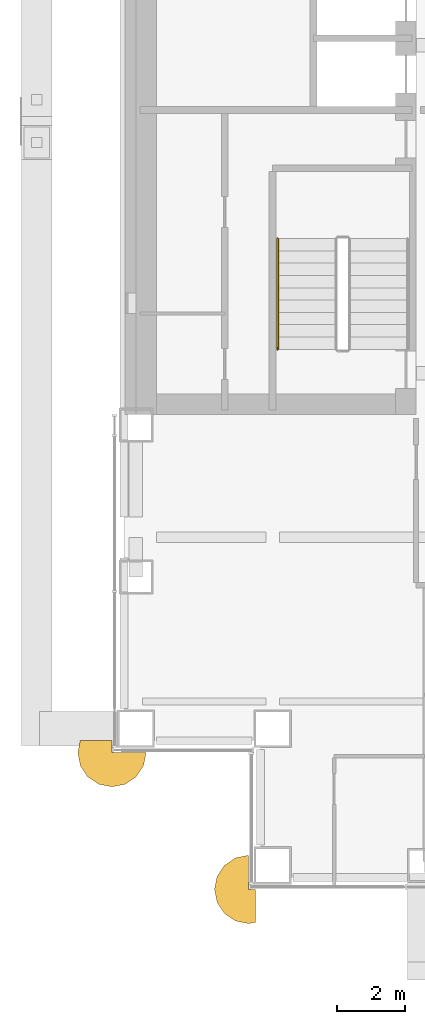
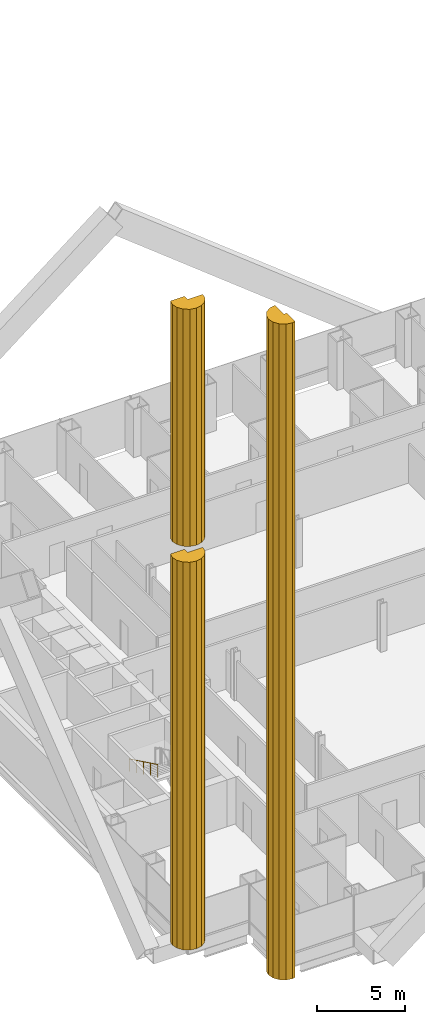
# One storey, part 23 of 28: 3 coverings, 1 railing.
"""IFC4 building model written with IfcOpenShell, lengths in metres."""

from ifc_helpers import new_model, si_unit, direction, frame, origin, origin_2d, place, context, subcontext, project, spatial, polyline, circle, outline, extrude, material, type_object, element, save


model = new_model("IFC4")

# Units and contexts
model_context = context("Model", 3, precision=1e-05, world=origin(), true_north=direction((0.0, 1.0)))
body_context = subcontext(model_context, "Body", "Model", "MODEL_VIEW")
ifc_project = project(units=[si_unit("LENGTHUNIT", "METRE"), si_unit("AREAUNIT", "SQUARE_METRE"), si_unit("VOLUMEUNIT", "CUBIC_METRE"), si_unit("PLANEANGLEUNIT", "RADIAN"), si_unit("MASSUNIT", "GRAM", prefix="KILO")], contexts=[model_context])

# Site, building, storey
site_placement = place(None, origin())
site = spatial("IfcSite", under=ifc_project, at=site_placement, CompositionType="ELEMENT")
building_placement = place(site_placement, origin())
building = spatial("IfcBuilding", under=site, at=building_placement, Name="Cobrizo Arcos Hotel Tower", CompositionType="ELEMENT")
storey_placement = place(building_placement, frame((0.0, 0.0, 39.0)))
storey = spatial("IfcBuildingStorey", under=building, at=storey_placement, Name="L07", CompositionType="ELEMENT", Elevation=39.0)

# Coverings
ifc_material_1 = material(Name="Aluminium 6063-T6 anodised pale", Category="aluminium")
covering_type = type_object("IfcCoveringType", Name="RB-2 notch bullnose roll R1000", PredefinedType="CLADDING", material=ifc_material_1)
covering_1_placement = place(storey_placement, origin())
element("IfcCovering", 1, at=covering_1_placement, inside=storey, type_object=covering_type, Name="Notch bullnose roll 5", PredefinedType="CLADDING", context=body_context, shape_type="SweptSolid", body=[
    extrude(outline(polyline([(-21.406982421875, -23.992919921875), (-21.623779296875, -24.3173828125), (-21.699951171875, -24.699951171875), (-21.623779296875, -25.082763671875), (-21.406982421875, -25.406982421875), (-21.082763671875, -25.623779296875), (-20.699951171875, -25.699951171875), (-20.5, -25.66015625), (-20.5, -24.699951171875), (-20.699951171875, -24.699951171875), (-20.699951171875, -23.699951171875), (-21.082763671875, -23.776123046875), (-21.406982421875, -23.992919921875)])), origin(), (0.0, 0.0, 1.0), 45.5),
])
covering_2_placement = place(storey_placement, frame((0.0, 0.0, 1.050048828125)))
element("IfcCovering", 2, at=covering_2_placement, inside=storey, type_object=covering_type, Name="Notch bullnose roll 8", PredefinedType="CLADDING", context=body_context, shape_type="SweptSolid", body=[
    extrude(outline(polyline([(-23.992919921875, -21.406982421875), (-23.776123046875, -21.082763671875), (-23.699951171875, -20.699951171875), (-24.699951171875, -20.699951171875), (-24.699951171875, -20.35009765625), (-25.63037109375, -20.35009765625), (-25.699951171875, -20.699951171875), (-25.623779296875, -21.082763671875), (-25.406982421875, -21.406982421875), (-25.082763671875, -21.623779296875), (-24.699951171875, -21.699951171875), (-24.3173828125, -21.623779296875), (-23.992919921875, -21.406982421875)])), origin(), (0.0, 0.0, 1.0), 26.89990234375),
])
covering_3_placement = place(storey_placement, frame((0.0, 0.0, 29.050048828125)))
element("IfcCovering", 3, at=covering_3_placement, inside=storey, type_object=covering_type, Name="Notch bullnose roll 8 part 2", PredefinedType="CLADDING", context=body_context, shape_type="SweptSolid", body=[
    extrude(outline(polyline([(-23.992919921875, -21.406982421875), (-23.776123046875, -21.082763671875), (-23.699951171875, -20.699951171875), (-24.699951171875, -20.699951171875), (-24.699951171875, -20.35009765625), (-25.63037109375, -20.35009765625), (-25.699951171875, -20.699951171875), (-25.623779296875, -21.082763671875), (-25.406982421875, -21.406982421875), (-25.082763671875, -21.623779296875), (-24.699951171875, -21.699951171875), (-24.3173828125, -21.623779296875), (-23.992919921875, -21.406982421875)])), origin(), (0.0, 0.0, 1.0), 16.449951171875),
])

# Railing
ifc_material_2 = material(Name="Stainless steel railing", Category="steel")
railing_type = type_object("IfcRailingType", Name="Stair handrail", PredefinedType="HANDRAIL", material=ifc_material_2)
railing_placement = place(storey_placement, frame((-19.85009765625, -5.659912109375, 1.925048828125)))
element("IfcRailing", 4, at=railing_placement, inside=storey, type_object=railing_type, Name="L07 ST-W stair handrail 2", PredefinedType="HANDRAIL", context=body_context, shape_type="SweptSolid", body=[
    extrude(circle(Radius=0.02392578125, at=origin_2d()), frame((0.0, 0.0, 0.8759765625), z_axis=(0.0, -0.899372665325, 0.437182809435), x_axis=(1.0, 0.0, 0.0)), (0.0, 0.0, 1.0), 3.6025390625),
    extrude(circle(Radius=0.02099609375, at=origin_2d()), origin(), (0.0, 0.0, 1.0), 0.851806640625),
    extrude(circle(Radius=0.02099609375, at=origin_2d()), frame((0.0, -0.81005859375, 0.393798828125)), (0.0, 0.0, 1.0), 0.851806640625),
    extrude(circle(Radius=0.02099609375, at=origin_2d()), frame((0.0, -1.6201171875, 0.78759765625)), (0.0, 0.0, 1.0), 0.851806640625),
    extrude(circle(Radius=0.02099609375, at=origin_2d()), frame((0.0, -2.429931640625, 1.18115234375)), (0.0, 0.0, 1.0), 0.851806640625),
    extrude(circle(Radius=0.02099609375, at=origin_2d()), frame((0.0, -3.239990234375, 1.574951171875)), (0.0, 0.0, 1.0), 0.851806640625),
])

save(model, "model.ifc")
